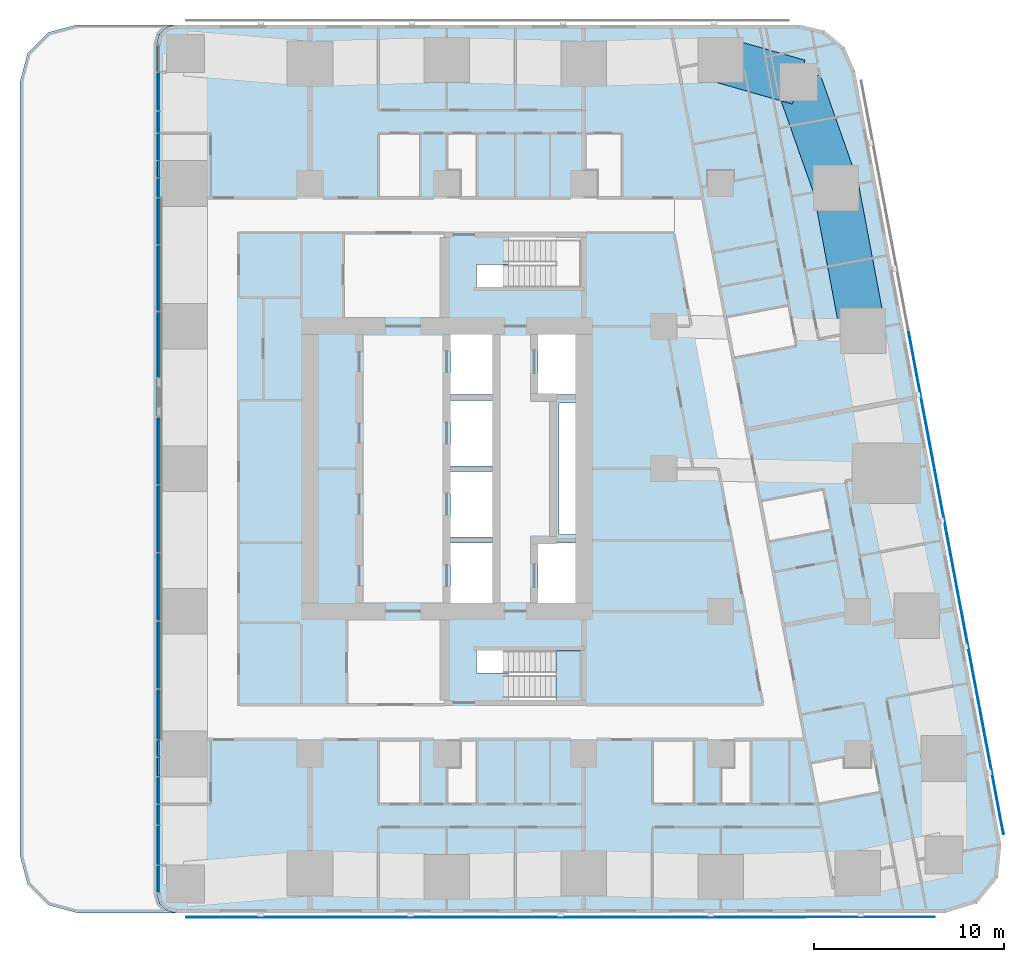
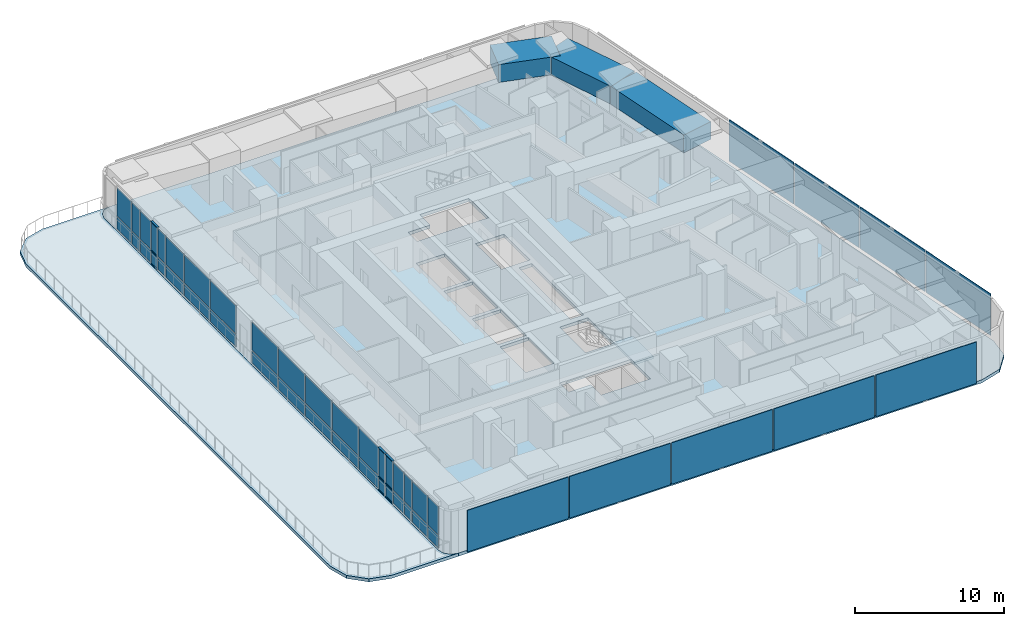
# One storey, part 6 of 17: 47 plates, 9 members, 3 beams, 3 slabs, 3 elements without a shape of their own.
"""IFC4 building model written with IfcOpenShell, lengths in metres."""

from ifc_helpers import new_model, si_unit, direction, frame, origin, origin_2d, place, context, subcontext, project, spatial, polyline, rectangle, outline, extrude, material, layer, layer_set, material_profile, profile_set, type_object, element, aggregate, save


model = new_model("IFC4")

# Units and contexts
model_context = context("Model", 3, precision=1e-05, world=origin(), true_north=direction((0.0, 1.0)))
body_context = subcontext(model_context, "Body", "Model", "MODEL_VIEW")
ifc_project = project(units=[si_unit("LENGTHUNIT", "METRE"), si_unit("AREAUNIT", "SQUARE_METRE"), si_unit("VOLUMEUNIT", "CUBIC_METRE"), si_unit("PLANEANGLEUNIT", "RADIAN"), si_unit("MASSUNIT", "GRAM", prefix="KILO")], contexts=[model_context])

# Site, building, storey
site_placement = place(None, origin())
site = spatial("IfcSite", under=ifc_project, at=site_placement, CompositionType="ELEMENT")
building_placement = place(site_placement, origin())
building = spatial("IfcBuilding", under=site, at=building_placement, Name="Sheger Commons Tower", CompositionType="ELEMENT")
storey_placement = place(building_placement, frame((0.0, 0.0, 193.699951171875)))
storey = spatial("IfcBuildingStorey", under=building, at=storey_placement, Name="L49", CompositionType="ELEMENT", Elevation=193.699951171875)

# Beams
ifc_material_1 = material(Name="Concrete C50/60", Category="concrete")
ifc_material_profile_1 = material_profile(ifc_material_1, rectangle(XDim=2.39990234375, YDim=1.449951171875, at=origin_2d()), Name="RC 2400x1450")
ifc_profile_set_1 = profile_set([ifc_material_profile_1], Name="Concrete C50/60")
beam_type = type_object("IfcBeamType", Name="SPANDREL RC 2400x1450", PredefinedType="SPANDREL", material=ifc_profile_set_1)
beam_1_placement = place(storey_placement, frame((43.47998046875, 29.762939453125, 2.775146484375), z_axis=(-0.18552441405, 0.982639655108, 0.0), x_axis=(-0.982639655108, -0.18552441405, 0.0)))
element("IfcBeam", 1, at=beam_1_placement, inside=storey, type_object=beam_type, Name="Beam E/E-E/F under L50", PredefinedType="SPANDREL", context=body_context, shape_type="SweptSolid", body=[
    extrude(rectangle(XDim=2.39990234375, YDim=1.449951171875, at=origin_2d()), origin(), (0.0, 0.0, 1.0), 7.632568359375),
])
beam_2_placement = place(storey_placement, frame((42.06396484375, 37.262939453125, 2.775146484375), z_axis=(-0.332374403357, 0.943147526102, 0.0), x_axis=(-0.943147526102, -0.332374403357, 0.0)))
element("IfcBeam", 2, at=beam_2_placement, inside=storey, type_object=beam_type, Name="Beam E/F-41.490,44.505 under L50", PredefinedType="SPANDREL", context=body_context, shape_type="SweptSolid", body=[
    extrude(rectangle(XDim=2.39990234375, YDim=1.449951171875, at=origin_2d()), origin(), (0.0, 0.0, 1.0), 5.90283203125),
])
beam_3_placement = place(storey_placement, frame((40.10205078125, 42.830078125, 2.775146484375), z_axis=(-0.961653428129, 0.274267541221, 0.0), x_axis=(-0.274267541221, -0.961653428129, 0.0)))
element("IfcBeam", 3, at=beam_3_placement, inside=storey, type_object=beam_type, Name="Beam 41.490,44.505-6/G under L50", PredefinedType="SPANDREL", context=body_context, shape_type="SweptSolid", body=[
    extrude(rectangle(XDim=2.39990234375, YDim=1.449951171875, at=origin_2d()), origin(), (0.0, 0.0, 1.0), 4.265625),
])

# Curtain wall, members
ifc_material_2 = material(Name="Black aluminium curtain wall, dark tinted glazing", Category="aluminium")
curtain_wall_type = type_object("IfcCurtainWallType", Name="CURTAIN WALL CW4 GALLERY", PredefinedType="USERDEFINED", material=ifc_material_2)
curtain_wall_1_placement = place(storey_placement, origin())
curtain_wall_1 = element("IfcCurtainWall", 4, at=curtain_wall_1_placement, inside=storey, type_object=curtain_wall_type, Name="Curtain Wall Cw4 Gallery W1 L49", ObjectType="UNITISED CURTAIN WALL", PredefinedType="USERDEFINED")
ifc_material_3 = material(Name="Black anodised aluminium", Category="aluminium")
ifc_material_profile_2 = material_profile(ifc_material_3, rectangle(XDim=0.14990234375, YDim=0.06494140625, at=origin_2d()), Name="AL 65x150")
ifc_profile_set_2 = profile_set([ifc_material_profile_2], Name="Black anodised aluminium")
member_type = type_object("IfcMemberType", Name="TRANSOM AL 65x150", PredefinedType="USERDEFINED", material=ifc_profile_set_2)
member_1_placement = place(storey_placement, frame((6.449951171875, 38.66748046875, 0.032470703125), z_axis=(0.0, -1.0, 0.0), x_axis=(1.0, 0.0, 0.0)))
member_1 = element("IfcMember", 5, at=member_1_placement, type_object=member_type, Name="CW4 transom 5.1", ObjectType="TRANSOM", PredefinedType="USERDEFINED", context=body_context, shape_type="SweptSolid", body=[
    extrude(rectangle(XDim=0.14990234375, YDim=0.06494140625, at=origin_2d()), origin(), (0.0, 0.0, 1.0), 0.8330078125),
])
member_2_placement = place(storey_placement, frame((6.449951171875, 38.66748046875, 1.10009765625), z_axis=(0.0, -1.0, 0.0), x_axis=(1.0, 0.0, 0.0)))
member_2 = element("IfcMember", 6, at=member_2_placement, type_object=member_type, Name="CW4 transom 5.2", ObjectType="TRANSOM", PredefinedType="USERDEFINED", context=body_context, shape_type="SweptSolid", body=[
    extrude(rectangle(XDim=0.14990234375, YDim=0.06494140625, at=origin_2d()), origin(), (0.0, 0.0, 1.0), 0.8330078125),
])
member_3_placement = place(storey_placement, frame((6.449951171875, 38.66748046875, 3.467529296875), z_axis=(0.0, -1.0, 0.0), x_axis=(1.0, 0.0, 0.0)))
member_3 = element("IfcMember", 7, at=member_3_placement, type_object=member_type, Name="CW4 transom 5.3", ObjectType="TRANSOM", PredefinedType="USERDEFINED", context=body_context, shape_type="SweptSolid", body=[
    extrude(rectangle(XDim=0.14990234375, YDim=0.06494140625, at=origin_2d()), origin(), (0.0, 0.0, 1.0), 0.8330078125),
])

curtain_wall_2_placement = place(storey_placement, origin())
curtain_wall_2 = element("IfcCurtainWall", 8, at=curtain_wall_2_placement, inside=storey, type_object=curtain_wall_type, Name="Curtain Wall Cw4 Gallery W1 L49", ObjectType="UNITISED CURTAIN WALL", PredefinedType="USERDEFINED")
member_4_placement = place(storey_placement, frame((6.449951171875, 8.217529296875, 0.032470703125), z_axis=(0.0, -1.0, 0.0), x_axis=(1.0, 0.0, 0.0)))
member_4 = element("IfcMember", 9, at=member_4_placement, type_object=member_type, Name="CW4 transom 6.1", ObjectType="TRANSOM", PredefinedType="USERDEFINED", context=body_context, shape_type="SweptSolid", body=[
    extrude(rectangle(XDim=0.14990234375, YDim=0.06494140625, at=origin_2d()), origin(), (0.0, 0.0, 1.0), 0.85400390625),
])
member_5_placement = place(storey_placement, frame((6.449951171875, 8.217529296875, 1.10009765625), z_axis=(0.0, -1.0, 0.0), x_axis=(1.0, 0.0, 0.0)))
member_5 = element("IfcMember", 10, at=member_5_placement, type_object=member_type, Name="CW4 transom 6.2", ObjectType="TRANSOM", PredefinedType="USERDEFINED", context=body_context, shape_type="SweptSolid", body=[
    extrude(rectangle(XDim=0.14990234375, YDim=0.06494140625, at=origin_2d()), origin(), (0.0, 0.0, 1.0), 0.85400390625),
])
member_6_placement = place(storey_placement, frame((6.449951171875, 8.217529296875, 3.467529296875), z_axis=(0.0, -1.0, 0.0), x_axis=(1.0, 0.0, 0.0)))
member_6 = element("IfcMember", 11, at=member_6_placement, type_object=member_type, Name="CW4 transom 6.3", ObjectType="TRANSOM", PredefinedType="USERDEFINED", context=body_context, shape_type="SweptSolid", body=[
    extrude(rectangle(XDim=0.14990234375, YDim=0.06494140625, at=origin_2d()), origin(), (0.0, 0.0, 1.0), 0.85400390625),
])
member_7_placement = place(storey_placement, frame((6.449951171875, 7.298583984375, 0.032470703125), z_axis=(0.0, -1.0, 0.0), x_axis=(1.0, 0.0, 0.0)))
member_7 = element("IfcMember", 12, at=member_7_placement, type_object=member_type, Name="CW4 transom 7.1", ObjectType="TRANSOM", PredefinedType="USERDEFINED", context=body_context, shape_type="SweptSolid", body=[
    extrude(rectangle(XDim=0.14990234375, YDim=0.06494140625, at=origin_2d()), origin(), (0.0, 0.0, 1.0), 0.966064453125),
])
member_8_placement = place(storey_placement, frame((6.449951171875, 7.298583984375, 1.10009765625), z_axis=(0.0, -1.0, 0.0), x_axis=(1.0, 0.0, 0.0)))
member_8 = element("IfcMember", 13, at=member_8_placement, type_object=member_type, Name="CW4 transom 7.2", ObjectType="TRANSOM", PredefinedType="USERDEFINED", context=body_context, shape_type="SweptSolid", body=[
    extrude(rectangle(XDim=0.14990234375, YDim=0.06494140625, at=origin_2d()), origin(), (0.0, 0.0, 1.0), 0.966064453125),
])
member_9_placement = place(storey_placement, frame((6.449951171875, 7.298583984375, 3.467529296875), z_axis=(0.0, -1.0, 0.0), x_axis=(1.0, 0.0, 0.0)))
member_9 = element("IfcMember", 14, at=member_9_placement, type_object=member_type, Name="CW4 transom 7.3", ObjectType="TRANSOM", PredefinedType="USERDEFINED", context=body_context, shape_type="SweptSolid", body=[
    extrude(rectangle(XDim=0.14990234375, YDim=0.06494140625, at=origin_2d()), origin(), (0.0, 0.0, 1.0), 0.966064453125),
])

# Plate
ifc_material_4 = material(Name="Dark tinted double glazing", Category="glass")
ifc_layer_1 = layer(ifc_material_4, 0.031982421875)
ifc_layer_set_1 = layer_set([ifc_layer_1], Name="GLAZED PANEL 32")
plate_type_1 = type_object("IfcPlateType", Name="GLAZED PANEL 32", PredefinedType="CURTAIN_PANEL", material=ifc_layer_set_1)
plate_1_placement = place(storey_placement, frame((6.449951171875, 42.3330078125, 0.065185546875), z_axis=(0.0, 0.0, 1.0), x_axis=(0.0, -1.0, 0.0)))
plate_1 = element("IfcPlate", 15, at=plate_1_placement, type_object=plate_type_1, Name="CW4 panel 2.1", PredefinedType="CURTAIN_PANEL", context=body_context, shape_type="SweptSolid", body=[
    extrude(rectangle(XDim=1.9609375, YDim=0.031982421875, at=origin_2d()), origin(), (0.0, 0.0, 1.0), 1.00244140625),
])

plate_2_placement = place(storey_placement, frame((6.449951171875, 42.3330078125, 1.13232421875), z_axis=(0.0, 0.0, 1.0), x_axis=(0.0, -1.0, 0.0)))
plate_2 = element("IfcPlate", 16, at=plate_2_placement, type_object=plate_type_1, Name="CW4 panel 2.2", PredefinedType="CURTAIN_PANEL", context=body_context, shape_type="SweptSolid", body=[
    extrude(rectangle(XDim=1.9609375, YDim=0.031982421875, at=origin_2d()), origin(), (0.0, 0.0, 1.0), 2.302490234375),
])

plate_3_placement = place(storey_placement, frame((6.449951171875, 40.735107421875, 0.065185546875), z_axis=(0.0, 0.0, 1.0), x_axis=(0.0, -1.0, 0.0)))
plate_3 = element("IfcPlate", 17, at=plate_3_placement, type_object=plate_type_1, Name="CW4 panel 3.1", PredefinedType="CURTAIN_PANEL", context=body_context, shape_type="SweptSolid", body=[
    extrude(rectangle(XDim=1.10498046875, YDim=0.031982421875, at=origin_2d()), origin(), (0.0, 0.0, 1.0), 1.00244140625),
])

plate_4_placement = place(storey_placement, frame((6.449951171875, 40.735107421875, 1.13232421875), z_axis=(0.0, 0.0, 1.0), x_axis=(0.0, -1.0, 0.0)))
plate_4 = element("IfcPlate", 18, at=plate_4_placement, type_object=plate_type_1, Name="CW4 panel 3.2", PredefinedType="CURTAIN_PANEL", context=body_context, shape_type="SweptSolid", body=[
    extrude(rectangle(XDim=1.10498046875, YDim=0.031982421875, at=origin_2d()), origin(), (0.0, 0.0, 1.0), 2.302490234375),
])

plate_5_placement = place(storey_placement, frame((6.449951171875, 39.425048828125, 0.065185546875), z_axis=(0.0, 0.0, 1.0), x_axis=(0.0, -1.0, 0.0)))
plate_5 = element("IfcPlate", 19, at=plate_5_placement, type_object=plate_type_1, Name="CW4 panel 4.1", PredefinedType="CURTAIN_PANEL", context=body_context, shape_type="SweptSolid", body=[
    extrude(rectangle(XDim=1.385009765625, YDim=0.031982421875, at=origin_2d()), origin(), (0.0, 0.0, 1.0), 1.00244140625),
])

plate_6_placement = place(storey_placement, frame((6.449951171875, 39.425048828125, 1.13232421875), z_axis=(0.0, 0.0, 1.0), x_axis=(0.0, -1.0, 0.0)))
plate_6 = element("IfcPlate", 20, at=plate_6_placement, type_object=plate_type_1, Name="CW4 panel 4.2", PredefinedType="CURTAIN_PANEL", context=body_context, shape_type="SweptSolid", body=[
    extrude(rectangle(XDim=1.385009765625, YDim=0.031982421875, at=origin_2d()), origin(), (0.0, 0.0, 1.0), 2.302490234375),
])

plate_7_placement = place(storey_placement, frame((6.449951171875, 38.2509765625, 0.065185546875), z_axis=(0.0, 0.0, 1.0), x_axis=(0.0, -1.0, 0.0)))
plate_7 = element("IfcPlate", 21, at=plate_7_placement, type_object=plate_type_1, Name="CW4 panel 5.1", PredefinedType="CURTAIN_PANEL", context=body_context, shape_type="SweptSolid", body=[
    extrude(rectangle(XDim=0.8330078125, YDim=0.031982421875, at=origin_2d()), origin(), (0.0, 0.0, 1.0), 1.00244140625),
])

plate_8_placement = place(storey_placement, frame((6.449951171875, 38.2509765625, 1.13232421875), z_axis=(0.0, 0.0, 1.0), x_axis=(0.0, -1.0, 0.0)))
plate_8 = element("IfcPlate", 22, at=plate_8_placement, type_object=plate_type_1, Name="CW4 panel 5.2", PredefinedType="CURTAIN_PANEL", context=body_context, shape_type="SweptSolid", body=[
    extrude(rectangle(XDim=0.8330078125, YDim=0.031982421875, at=origin_2d()), origin(), (0.0, 0.0, 1.0), 2.302490234375),
])

plate_9_placement = place(storey_placement, frame((6.449951171875, 37.27587890625, 0.065185546875), z_axis=(0.0, 0.0, 1.0), x_axis=(0.0, -1.0, 0.0)))
plate_9 = element("IfcPlate", 23, at=plate_9_placement, type_object=plate_type_1, Name="CW4 panel 6.1", PredefinedType="CURTAIN_PANEL", context=body_context, shape_type="SweptSolid", body=[
    extrude(rectangle(XDim=0.987060546875, YDim=0.031982421875, at=origin_2d()), origin(), (0.0, 0.0, 1.0), 1.00244140625),
])

plate_10_placement = place(storey_placement, frame((6.449951171875, 37.27587890625, 1.13232421875), z_axis=(0.0, 0.0, 1.0), x_axis=(0.0, -1.0, 0.0)))
plate_10 = element("IfcPlate", 24, at=plate_10_placement, type_object=plate_type_1, Name="CW4 panel 6.2", PredefinedType="CURTAIN_PANEL", context=body_context, shape_type="SweptSolid", body=[
    extrude(rectangle(XDim=0.987060546875, YDim=0.031982421875, at=origin_2d()), origin(), (0.0, 0.0, 1.0), 2.302490234375),
])

plate_11_placement = place(storey_placement, frame((6.449951171875, 35.517578125, 0.065185546875), z_axis=(0.0, 0.0, 1.0), x_axis=(0.0, -1.0, 0.0)))
plate_11 = element("IfcPlate", 25, at=plate_11_placement, type_object=plate_type_1, Name="CW4 panel 7.1", PredefinedType="CURTAIN_PANEL", context=body_context, shape_type="SweptSolid", body=[
    extrude(rectangle(XDim=2.39990234375, YDim=0.031982421875, at=origin_2d()), origin(), (0.0, 0.0, 1.0), 1.00244140625),
])

plate_12_placement = place(storey_placement, frame((6.449951171875, 35.517578125, 1.13232421875), z_axis=(0.0, 0.0, 1.0), x_axis=(0.0, -1.0, 0.0)))
plate_12 = element("IfcPlate", 26, at=plate_12_placement, type_object=plate_type_1, Name="CW4 panel 7.2", PredefinedType="CURTAIN_PANEL", context=body_context, shape_type="SweptSolid", body=[
    extrude(rectangle(XDim=2.39990234375, YDim=0.031982421875, at=origin_2d()), origin(), (0.0, 0.0, 1.0), 2.302490234375),
])

plate_13_placement = place(storey_placement, frame((6.449951171875, 32.52587890625, 0.065185546875), z_axis=(0.0, 0.0, 1.0), x_axis=(0.0, -1.0, 0.0)))
plate_13 = element("IfcPlate", 27, at=plate_13_placement, type_object=plate_type_1, Name="CW4 panel 8.1", PredefinedType="CURTAIN_PANEL", context=body_context, shape_type="SweptSolid", body=[
    extrude(rectangle(XDim=3.452880859375, YDim=0.031982421875, at=origin_2d()), origin(), (0.0, 0.0, 1.0), 1.00244140625),
])

plate_14_placement = place(storey_placement, frame((6.449951171875, 32.52587890625, 1.13232421875), z_axis=(0.0, 0.0, 1.0), x_axis=(0.0, -1.0, 0.0)))
plate_14 = element("IfcPlate", 28, at=plate_14_placement, type_object=plate_type_1, Name="CW4 panel 8.2", PredefinedType="CURTAIN_PANEL", context=body_context, shape_type="SweptSolid", body=[
    extrude(rectangle(XDim=3.452880859375, YDim=0.031982421875, at=origin_2d()), origin(), (0.0, 0.0, 1.0), 2.302490234375),
])

plate_15_placement = place(storey_placement, frame((6.449951171875, 29.024658203125, 0.065185546875), z_axis=(0.0, 0.0, 1.0), x_axis=(0.0, -1.0, 0.0)))
plate_15 = element("IfcPlate", 29, at=plate_15_placement, type_object=plate_type_1, Name="CW4 panel 9.1", PredefinedType="CURTAIN_PANEL", context=body_context, shape_type="SweptSolid", body=[
    extrude(rectangle(XDim=3.41943359375, YDim=0.031982421875, at=origin_2d()), origin(), (0.0, 0.0, 1.0), 1.00244140625),
])

plate_16_placement = place(storey_placement, frame((6.449951171875, 29.024658203125, 1.13232421875), z_axis=(0.0, 0.0, 1.0), x_axis=(0.0, -1.0, 0.0)))
plate_16 = element("IfcPlate", 30, at=plate_16_placement, type_object=plate_type_1, Name="CW4 panel 9.2", PredefinedType="CURTAIN_PANEL", context=body_context, shape_type="SweptSolid", body=[
    extrude(rectangle(XDim=3.41943359375, YDim=0.031982421875, at=origin_2d()), origin(), (0.0, 0.0, 1.0), 2.302490234375),
])

aggregate(curtain_wall_1, [plate_1, plate_2, plate_3, plate_4, plate_5, plate_6, member_1, member_2, member_3, plate_7, plate_8, plate_9, plate_10, plate_11, plate_12, plate_13, plate_14, plate_15, plate_16])

plate_17_placement = place(storey_placement, frame((6.449951171875, 23.441650390625, 0.065185546875), z_axis=(0.0, 0.0, 1.0), x_axis=(0.0, -1.0, 0.0)))
plate_17 = element("IfcPlate", 31, at=plate_17_placement, type_object=plate_type_1, Name="CW4 panel 1.1", PredefinedType="CURTAIN_PANEL", context=body_context, shape_type="SweptSolid", body=[
    extrude(rectangle(XDim=3.486572265625, YDim=0.031982421875, at=origin_2d()), origin(), (0.0, 0.0, 1.0), 1.00244140625),
])

plate_18_placement = place(storey_placement, frame((6.449951171875, 23.441650390625, 1.13232421875), z_axis=(0.0, 0.0, 1.0), x_axis=(0.0, -1.0, 0.0)))
plate_18 = element("IfcPlate", 32, at=plate_18_placement, type_object=plate_type_1, Name="CW4 panel 1.2", PredefinedType="CURTAIN_PANEL", context=body_context, shape_type="SweptSolid", body=[
    extrude(rectangle(XDim=3.486572265625, YDim=0.031982421875, at=origin_2d()), origin(), (0.0, 0.0, 1.0), 2.302490234375),
])

plate_19_placement = place(storey_placement, frame((6.449951171875, 19.8740234375, 0.065185546875), z_axis=(0.0, 0.0, 1.0), x_axis=(0.0, -1.0, 0.0)))
plate_19 = element("IfcPlate", 33, at=plate_19_placement, type_object=plate_type_1, Name="CW4 panel 2.1", PredefinedType="CURTAIN_PANEL", context=body_context, shape_type="SweptSolid", body=[
    extrude(rectangle(XDim=3.51904296875, YDim=0.031982421875, at=origin_2d()), origin(), (0.0, 0.0, 1.0), 1.00244140625),
])

plate_20_placement = place(storey_placement, frame((6.449951171875, 19.8740234375, 1.13232421875), z_axis=(0.0, 0.0, 1.0), x_axis=(0.0, -1.0, 0.0)))
plate_20 = element("IfcPlate", 34, at=plate_20_placement, type_object=plate_type_1, Name="CW4 panel 2.2", PredefinedType="CURTAIN_PANEL", context=body_context, shape_type="SweptSolid", body=[
    extrude(rectangle(XDim=3.51904296875, YDim=0.031982421875, at=origin_2d()), origin(), (0.0, 0.0, 1.0), 2.302490234375),
])

plate_21_placement = place(storey_placement, frame((6.449951171875, 16.2900390625, 0.065185546875), z_axis=(0.0, 0.0, 1.0), x_axis=(0.0, -1.0, 0.0)))
plate_21 = element("IfcPlate", 35, at=plate_21_placement, type_object=plate_type_1, Name="CW4 panel 3.1", PredefinedType="CURTAIN_PANEL", context=body_context, shape_type="SweptSolid", body=[
    extrude(rectangle(XDim=3.51904296875, YDim=0.031982421875, at=origin_2d()), origin(), (0.0, 0.0, 1.0), 1.00244140625),
])

plate_22_placement = place(storey_placement, frame((6.449951171875, 16.2900390625, 1.13232421875), z_axis=(0.0, 0.0, 1.0), x_axis=(0.0, -1.0, 0.0)))
plate_22 = element("IfcPlate", 36, at=plate_22_placement, type_object=plate_type_1, Name="CW4 panel 3.2", PredefinedType="CURTAIN_PANEL", context=body_context, shape_type="SweptSolid", body=[
    extrude(rectangle(XDim=3.51904296875, YDim=0.031982421875, at=origin_2d()), origin(), (0.0, 0.0, 1.0), 2.302490234375),
])

plate_23_placement = place(storey_placement, frame((6.449951171875, 12.70654296875, 0.065185546875), z_axis=(0.0, 0.0, 1.0), x_axis=(0.0, -1.0, 0.0)))
plate_23 = element("IfcPlate", 37, at=plate_23_placement, type_object=plate_type_1, Name="CW4 panel 4.1", PredefinedType="CURTAIN_PANEL", context=body_context, shape_type="SweptSolid", body=[
    extrude(rectangle(XDim=3.51806640625, YDim=0.031982421875, at=origin_2d()), origin(), (0.0, 0.0, 1.0), 1.00244140625),
])

plate_24_placement = place(storey_placement, frame((6.449951171875, 12.70654296875, 1.13232421875), z_axis=(0.0, 0.0, 1.0), x_axis=(0.0, -1.0, 0.0)))
plate_24 = element("IfcPlate", 38, at=plate_24_placement, type_object=plate_type_1, Name="CW4 panel 4.2", PredefinedType="CURTAIN_PANEL", context=body_context, shape_type="SweptSolid", body=[
    extrude(rectangle(XDim=3.51806640625, YDim=0.031982421875, at=origin_2d()), origin(), (0.0, 0.0, 1.0), 2.302490234375),
])

plate_25_placement = place(storey_placement, frame((6.449951171875, 9.58251953125, 0.065185546875), z_axis=(0.0, 0.0, 1.0), x_axis=(0.0, -1.0, 0.0)))
plate_25 = element("IfcPlate", 39, at=plate_25_placement, type_object=plate_type_1, Name="CW4 panel 5.1", PredefinedType="CURTAIN_PANEL", context=body_context, shape_type="SweptSolid", body=[
    extrude(rectangle(XDim=2.60009765625, YDim=0.031982421875, at=origin_2d()), origin(), (0.0, 0.0, 1.0), 1.00244140625),
])

plate_26_placement = place(storey_placement, frame((6.449951171875, 9.58251953125, 1.13232421875), z_axis=(0.0, 0.0, 1.0), x_axis=(0.0, -1.0, 0.0)))
plate_26 = element("IfcPlate", 40, at=plate_26_placement, type_object=plate_type_1, Name="CW4 panel 5.2", PredefinedType="CURTAIN_PANEL", context=body_context, shape_type="SweptSolid", body=[
    extrude(rectangle(XDim=2.60009765625, YDim=0.031982421875, at=origin_2d()), origin(), (0.0, 0.0, 1.0), 2.302490234375),
])

plate_27_placement = place(storey_placement, frame((6.449951171875, 7.79052734375, 0.065185546875), z_axis=(0.0, 0.0, 1.0), x_axis=(0.0, -1.0, 0.0)))
plate_27 = element("IfcPlate", 41, at=plate_27_placement, type_object=plate_type_1, Name="CW4 panel 6.1", PredefinedType="CURTAIN_PANEL", context=body_context, shape_type="SweptSolid", body=[
    extrude(rectangle(XDim=0.85400390625, YDim=0.031982421875, at=origin_2d()), origin(), (0.0, 0.0, 1.0), 1.00244140625),
])

plate_28_placement = place(storey_placement, frame((6.449951171875, 7.79052734375, 1.13232421875), z_axis=(0.0, 0.0, 1.0), x_axis=(0.0, -1.0, 0.0)))
plate_28 = element("IfcPlate", 42, at=plate_28_placement, type_object=plate_type_1, Name="CW4 panel 6.2", PredefinedType="CURTAIN_PANEL", context=body_context, shape_type="SweptSolid", body=[
    extrude(rectangle(XDim=0.85400390625, YDim=0.031982421875, at=origin_2d()), origin(), (0.0, 0.0, 1.0), 2.302490234375),
])

plate_29_placement = place(storey_placement, frame((6.449951171875, 6.8154296875, 0.065185546875), z_axis=(0.0, 0.0, 1.0), x_axis=(0.0, -1.0, 0.0)))
plate_29 = element("IfcPlate", 43, at=plate_29_placement, type_object=plate_type_1, Name="CW4 panel 7.1", PredefinedType="CURTAIN_PANEL", context=body_context, shape_type="SweptSolid", body=[
    extrude(rectangle(XDim=0.966064453125, YDim=0.031982421875, at=origin_2d()), origin(), (0.0, 0.0, 1.0), 1.00244140625),
])

plate_30_placement = place(storey_placement, frame((6.449951171875, 6.8154296875, 1.13232421875), z_axis=(0.0, 0.0, 1.0), x_axis=(0.0, -1.0, 0.0)))
plate_30 = element("IfcPlate", 44, at=plate_30_placement, type_object=plate_type_1, Name="CW4 panel 7.2", PredefinedType="CURTAIN_PANEL", context=body_context, shape_type="SweptSolid", body=[
    extrude(rectangle(XDim=0.966064453125, YDim=0.031982421875, at=origin_2d()), origin(), (0.0, 0.0, 1.0), 2.302490234375),
])

plate_31_placement = place(storey_placement, frame((6.449951171875, 5.574951171875, 0.065185546875), z_axis=(0.0, 0.0, 1.0), x_axis=(0.0, -1.0, 0.0)))
plate_31 = element("IfcPlate", 45, at=plate_31_placement, type_object=plate_type_1, Name="CW4 panel 8.1", PredefinedType="CURTAIN_PANEL", context=body_context, shape_type="SweptSolid", body=[
    extrude(rectangle(XDim=1.385009765625, YDim=0.031982421875, at=origin_2d()), origin(), (0.0, 0.0, 1.0), 1.00244140625),
])

plate_32_placement = place(storey_placement, frame((6.449951171875, 5.574951171875, 1.13232421875), z_axis=(0.0, 0.0, 1.0), x_axis=(0.0, -1.0, 0.0)))
plate_32 = element("IfcPlate", 46, at=plate_32_placement, type_object=plate_type_1, Name="CW4 panel 8.2", PredefinedType="CURTAIN_PANEL", context=body_context, shape_type="SweptSolid", body=[
    extrude(rectangle(XDim=1.385009765625, YDim=0.031982421875, at=origin_2d()), origin(), (0.0, 0.0, 1.0), 2.302490234375),
])

plate_33_placement = place(storey_placement, frame((6.449951171875, 4.298583984375, 0.065185546875), z_axis=(0.0, 0.0, 1.0), x_axis=(0.0, -1.0, 0.0)))
plate_33 = element("IfcPlate", 47, at=plate_33_placement, type_object=plate_type_1, Name="CW4 panel 9.1", PredefinedType="CURTAIN_PANEL", context=body_context, shape_type="SweptSolid", body=[
    extrude(rectangle(XDim=1.0380859375, YDim=0.031982421875, at=origin_2d()), origin(), (0.0, 0.0, 1.0), 1.00244140625),
])

plate_34_placement = place(storey_placement, frame((6.449951171875, 4.298583984375, 1.13232421875), z_axis=(0.0, 0.0, 1.0), x_axis=(0.0, -1.0, 0.0)))
plate_34 = element("IfcPlate", 48, at=plate_34_placement, type_object=plate_type_1, Name="CW4 panel 9.2", PredefinedType="CURTAIN_PANEL", context=body_context, shape_type="SweptSolid", body=[
    extrude(rectangle(XDim=1.0380859375, YDim=0.031982421875, at=origin_2d()), origin(), (0.0, 0.0, 1.0), 2.302490234375),
])

plate_35_placement = place(storey_placement, frame((6.449951171875, 2.700439453125, 0.065185546875), z_axis=(0.0, 0.0, 1.0), x_axis=(0.0, -1.0, 0.0)))
plate_35 = element("IfcPlate", 49, at=plate_35_placement, type_object=plate_type_1, Name="CW4 panel 10.1", PredefinedType="CURTAIN_PANEL", context=body_context, shape_type="SweptSolid", body=[
    extrude(rectangle(XDim=2.028076171875, YDim=0.031982421875, at=origin_2d()), origin(), (0.0, 0.0, 1.0), 1.00244140625),
])

plate_36_placement = place(storey_placement, frame((6.449951171875, 2.700439453125, 1.13232421875), z_axis=(0.0, 0.0, 1.0), x_axis=(0.0, -1.0, 0.0)))
plate_36 = element("IfcPlate", 50, at=plate_36_placement, type_object=plate_type_1, Name="CW4 panel 10.2", PredefinedType="CURTAIN_PANEL", context=body_context, shape_type="SweptSolid", body=[
    extrude(rectangle(XDim=2.028076171875, YDim=0.031982421875, at=origin_2d()), origin(), (0.0, 0.0, 1.0), 2.302490234375),
])

plate_37_placement = place(storey_placement, frame((6.449951171875, 0.9248046875, 0.065185546875), z_axis=(0.0, 0.0, 1.0), x_axis=(0.0, -1.0, 0.0)))
plate_37 = element("IfcPlate", 51, at=plate_37_placement, type_object=plate_type_1, Name="CW4 panel 11.1", PredefinedType="CURTAIN_PANEL", context=body_context, shape_type="SweptSolid", body=[
    extrude(rectangle(XDim=1.3935546875, YDim=0.031982421875, at=origin_2d()), origin(), (0.0, 0.0, 1.0), 1.00244140625),
])

plate_38_placement = place(storey_placement, frame((6.449951171875, 0.9248046875, 1.13232421875), z_axis=(0.0, 0.0, 1.0), x_axis=(0.0, -1.0, 0.0)))
plate_38 = element("IfcPlate", 52, at=plate_38_placement, type_object=plate_type_1, Name="CW4 panel 11.2", PredefinedType="CURTAIN_PANEL", context=body_context, shape_type="SweptSolid", body=[
    extrude(rectangle(XDim=1.3935546875, YDim=0.031982421875, at=origin_2d()), origin(), (0.0, 0.0, 1.0), 2.302490234375),
])

aggregate(curtain_wall_2, [plate_17, plate_18, plate_19, plate_20, plate_21, plate_22, plate_23, plate_24, plate_25, plate_26, member_4, member_5, member_6, plate_27, plate_28, member_7, member_8, member_9, plate_29, plate_30, plate_31, plate_32, plate_33, plate_34, plate_35, plate_36, plate_37, plate_38])

# Slabs
ifc_material_5 = material(Name="Concrete C35/45", Category="concrete")
ifc_layer_2 = layer(ifc_material_5, 0.25)
ifc_layer_set_2 = layer_set([ifc_layer_2], Name="SLAB FLOOR 250")
slab_type_1 = type_object("IfcSlabType", Name="SLAB FLOOR 250", PredefinedType="FLOOR", material=ifc_layer_set_2)
slab_1_placement = place(storey_placement, frame((0.0, 0.0, -0.25)))
element("IfcSlab", 53, at=slab_1_placement, inside=storey, type_object=slab_type_1, Name="L49 floor slab", PredefinedType="FLOOR", context=body_context, shape_type="SweptSolid", body=[
    extrude(outline(polyline([(6.35009765625, 0.14990234375), (6.48388671875, -0.35009765625), (6.85009765625, -0.716064453125), (7.35009765625, -0.85009765625), (47.805908203125, -0.85009765625), (49.465087890625, -0.35009765625), (50.570068359375, 0.98388671875), (50.75390625, 2.70703125), (43.06591796875, 43.406982421875), (42.509033203125, 44.660888671875), (41.452880859375, 45.535888671875), (40.117919921875, 45.85009765625), (7.35009765625, 45.85009765625), (6.85009765625, 45.716064453125), (6.48388671875, 45.35009765625), (6.35009765625, 44.85009765625), (6.35009765625, 0.14990234375)]), holes=[polyline([(24.85009765625, 10.35009765625), (28.64990234375, 10.35009765625), (28.64990234375, 12.949951171875), (23.15087890625, 12.949951171875), (23.15087890625, 11.75), (24.85009765625, 11.75), (24.85009765625, 10.35009765625)]), polyline([(23.15087890625, 32.050048828125), (28.64990234375, 32.050048828125), (28.64990234375, 34.64990234375), (24.85009765625, 34.64990234375), (24.85009765625, 33.25), (23.15087890625, 33.25), (23.15087890625, 32.050048828125)]), polyline([(26.39990234375, 15.14990234375), (28.60009765625, 15.14990234375), (28.60009765625, 18.60009765625), (26.39990234375, 18.60009765625), (26.39990234375, 15.14990234375)]), polyline([(26.39990234375, 26.39990234375), (28.60009765625, 26.39990234375), (28.60009765625, 29.85009765625), (26.39990234375, 29.85009765625), (26.39990234375, 26.39990234375)]), polyline([(21.800048828125, 15.14990234375), (24.0, 15.14990234375), (24.0, 18.60009765625), (21.800048828125, 18.60009765625), (21.800048828125, 15.14990234375)]), polyline([(21.800048828125, 18.89990234375), (24.0, 18.89990234375), (24.0, 22.35009765625), (21.800048828125, 22.35009765625), (21.800048828125, 18.89990234375)]), polyline([(21.800048828125, 22.64990234375), (24.0, 22.64990234375), (24.0, 26.10009765625), (21.800048828125, 26.10009765625), (21.800048828125, 22.64990234375)]), polyline([(21.800048828125, 26.39990234375), (24.0, 26.39990234375), (24.0, 29.85009765625), (21.800048828125, 29.85009765625), (21.800048828125, 26.39990234375)]), polyline([(27.5, 19.050048828125), (28.5, 19.050048828125), (28.5, 25.949951171875), (27.5, 25.949951171875), (27.5, 19.050048828125)])]), origin(), (0.0, 0.0, 1.0), 0.25),
])
ifc_material_6 = material(Name="Concrete C35/45", Category="concrete")
ifc_layer_3 = layer(ifc_material_6, 0.25)
ifc_layer_set_3 = layer_set([ifc_layer_3], Name="SLAB ROOF 250")
slab_type_2 = type_object("IfcSlabType", Name="SLAB ROOF 250", PredefinedType="ROOF", material=ifc_layer_set_3)
slab_2_placement = place(storey_placement, frame((0.0, 0.0, -0.25)))
element("IfcSlab", 54, at=slab_2_placement, inside=storey, type_object=slab_type_2, Name="Roof terrace", PredefinedType="ROOF", context=body_context, shape_type="SweptSolid", body=[
    extrude(outline(polyline([(2.14990234375, -0.85009765625), (7.35009765625, -0.85009765625), (6.85009765625, -0.716064453125), (6.48388671875, -0.35009765625), (6.35009765625, 0.14990234375), (6.35009765625, 44.85009765625), (6.48388671875, 45.35009765625), (6.85009765625, 45.716064453125), (7.35009765625, 45.85009765625), (2.14990234375, 45.85009765625), (0.64990234375, 45.447998046875), (-0.447998046875, 44.35009765625), (-0.85009765625, 42.85009765625), (-0.85009765625, 2.14990234375), (-0.447998046875, 0.64990234375), (0.64990234375, -0.447998046875), (2.14990234375, -0.85009765625)])), origin(), (0.0, 0.0, 1.0), 0.25),
])

# Plates
ifc_material_7 = material(Name="Perforated black anodised aluminium screen", Category="aluminium")
ifc_layer_4 = layer(ifc_material_7, 0.050048828125)
ifc_layer_set_4 = layer_set([ifc_layer_4], Name="SOLAR SCREEN SCREEN-1")
plate_type_2 = type_object("IfcPlateType", Name="SOLAR SCREEN SCREEN-1", PredefinedType="USERDEFINED", material=ifc_layer_set_4)
for number, where, z_axis, x_axis, name in (
    (55, (11.7958984375, -1.074951171875, 0.050048828125), (0.0, 0.0, 1.0), (1.0, 0.0, 0.0), "Perforated solar screen panel"),
    (56, (19.68701171875, -1.074951171875, 0.050048828125), (0.0, 0.0, 1.0), (1.0, 0.0, 0.0), "Perforated solar screen panel"),
    (57, (27.577880859375, -1.074951171875, 0.050048828125), (0.0, 0.0, 1.0), (1.0, 0.0, 0.0), "Perforated solar screen panel"),
    (58, (35.468994140625, -1.074951171875, 0.050048828125), (0.0, 0.0, 1.0), (1.0, 0.0, 0.0), "Perforated solar screen panel"),
    (59, (43.360107421875, -1.074951171875, 0.050048828125), (0.0, 0.0, 1.0), (1.0, 0.0, 0.0), "Perforated solar screen panel"),
):
    element("IfcPlate", number, at=place(storey_placement, frame(where, z_axis=z_axis, x_axis=x_axis)), inside=storey, type_object=plate_type_2, Name=name, ObjectType="SCREEN", PredefinedType="USERDEFINED", context=body_context, shape_type="SweptSolid", body=[
        extrude(rectangle(XDim=7.791015625, YDim=0.050048828125, at=origin_2d()), origin(), (0.0, 0.0, 1.0), 3.39990234375),
    ])
for number, where, z_axis, x_axis, name in (
    (60, (50.257080078125, 6.550048828125, 0.050048828125), (0.0, 0.0, 1.0), (-0.185615165645, 0.982622516678, 0.0), "Perforated solar screen panel"),
    (61, (49.007080078125, 13.1689453125, 0.050048828125), (0.0, 0.0, 1.0), (-0.185615165645, 0.982622516678, 0.0), "Perforated solar screen panel"),
    (62, (47.756103515625, 19.7890625, 0.050048828125), (0.0, 0.0, 1.0), (-0.185615165645, 0.982622516678, 0.0), "Perforated solar screen panel"),
    (63, (46.506103515625, 26.408935546875, 0.050048828125), (0.0, 0.0, 1.0), (-0.185615165645, 0.982622516678, 0.0), "Perforated solar screen panel"),
):
    element("IfcPlate", number, at=place(storey_placement, frame(where, z_axis=z_axis, x_axis=x_axis)), inside=storey, type_object=plate_type_2, Name=name, ObjectType="SCREEN", PredefinedType="USERDEFINED", context=body_context, shape_type="SweptSolid", body=[
        extrude(rectangle(XDim=6.636962890625, YDim=0.050048828125, at=origin_2d()), origin(), (0.0, 0.0, 1.0), 3.39990234375),
    ])

# Stair, slab
ifc_material_8 = material(Name="Concrete C35/45", Category="concrete")
stair_type = type_object("IfcStairType", Name="HALF-TURN STAIR 1200 RISE 3750", PredefinedType="HALF_TURN_STAIR", material=ifc_material_8)
stair_placement = place(storey_placement, origin())
stair = element("IfcStair", 64, at=stair_placement, inside=storey, type_object=stair_type, Name="Stair S1 L49", PredefinedType="HALF_TURN_STAIR")
ifc_material_9 = material(Name="Concrete C35/45", Category="concrete")
ifc_layer_5 = layer(ifc_material_9, 0.199951171875)
ifc_layer_set_5 = layer_set([ifc_layer_5], Name="STAIR LANDING 200")
slab_type_3 = type_object("IfcSlabType", Name="STAIR LANDING 200", PredefinedType="LANDING", material=ifc_layer_set_5)
slab_3_placement = place(storey_placement, frame((0.0, 0.0, 1.675048828125)))
slab_3 = element("IfcSlab", 65, at=slab_3_placement, type_object=slab_type_3, Name="S1 landing 1", PredefinedType="LANDING", context=body_context, shape_type="SweptSolid", body=[
    extrude(outline(polyline([(27.35009765625, 10.199951171875), (28.800048828125, 10.199951171875), (28.800048828125, 12.949951171875), (27.35009765625, 12.949951171875), (27.35009765625, 10.199951171875)])), origin(), (0.0, 0.0, 1.0), 0.199951171875),
])
aggregate(stair, [slab_3])

save(model, "model.ifc")
